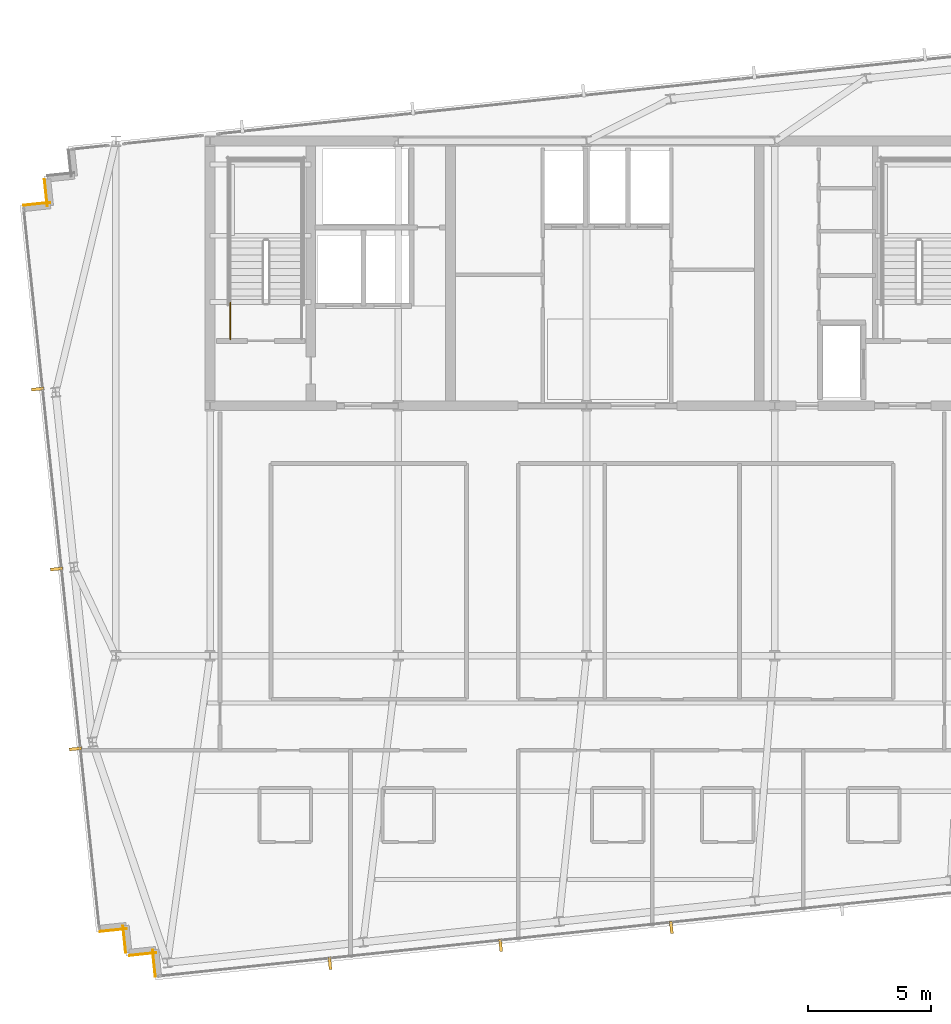
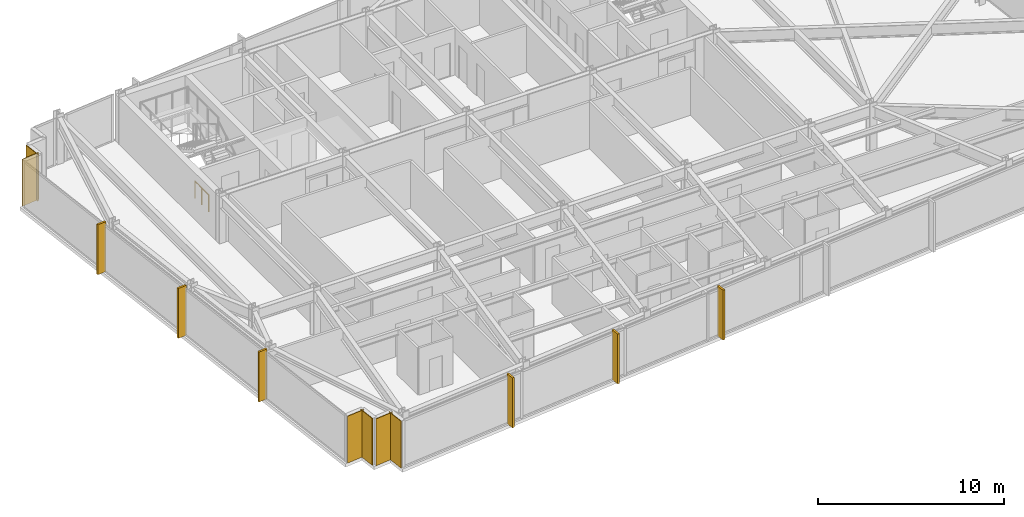
# One storey, part 30 of 33: 6 coverings, 6 shading devices, 1 railing.
"""IFC4 building model written with IfcOpenShell, lengths in metres."""

from ifc_helpers import new_model, si_unit, direction, frame, frame_2d, origin, origin_2d, place, context, subcontext, project, spatial, rectangle, circle, extrude, material, layer, layer_set, type_object, element, save


model = new_model("IFC4")

# Units and contexts
model_context = context("Model", 3, precision=1e-05, world=origin(), true_north=direction((0.0, 1.0)))
body_context = subcontext(model_context, "Body", "Model", "MODEL_VIEW")
ifc_project = project(units=[si_unit("LENGTHUNIT", "METRE"), si_unit("AREAUNIT", "SQUARE_METRE"), si_unit("VOLUMEUNIT", "CUBIC_METRE"), si_unit("PLANEANGLEUNIT", "RADIAN"), si_unit("MASSUNIT", "GRAM", prefix="KILO")], contexts=[model_context])

# Site, building, storey
site_placement = place(None, origin())
site = spatial("IfcSite", under=ifc_project, at=site_placement, CompositionType="ELEMENT")
building_placement = place(site_placement, origin())
building = spatial("IfcBuilding", under=site, at=building_placement, Name="Yelkora Congress Tower", CompositionType="ELEMENT")
storey_placement = place(building_placement, frame((0.0, 0.0, 227.60009765625)))
storey = spatial("IfcBuildingStorey", under=building, at=storey_placement, Name="L63", CompositionType="ELEMENT", Elevation=227.60009765625)

# Coverings
ifc_material_1 = material(Name="Anatolian bush-hammered limestone", Category="masonry")
ifc_layer_1 = layer(ifc_material_1, 0.0400390625)
ifc_layer_set_1 = layer_set([ifc_layer_1], Name="Anatolian bush-hammered limestone")
covering_type = type_object("IfcCoveringType", Name="COV-CLAD-SPANDREL-40", PredefinedType="CLADDING", material=ifc_layer_set_1)
covering_1_placement = place(storey_placement, frame((20.810302734375, 12.114501953125, 0.0), z_axis=(0.0, 0.0, 1.0), x_axis=(-0.104557671117, 0.994518825066, 0.0)))
element("IfcCovering", 1, at=covering_1_placement, inside=storey, type_object=covering_type, Name="L63 Anatolian Limestone Cladding EW-L63-SR01", PredefinedType="CLADDING", context=body_context, shape_type="SweptSolid", body=[
    extrude(rectangle(XDim=1.099853515625, YDim=0.0400390625, at=frame_2d((0.5498046875, 0.0))), origin(), (0.0, 0.0, 1.0), 3.079833984375),
])
for number, where, z_axis, x_axis, name in (
    (2, (20.84375, 13.088134765625, 0.0), (0.0, 0.0, 1.0), (-0.994521251134, -0.104534592565, 0.0), "L63 Anatolian Limestone Cladding EW-L63-SR02"),
    (3, (19.601318359375, 13.09326171875, 0.0), (0.0, 0.0, 1.0), (-0.104534592565, 0.994521251134, 0.0), "L63 Anatolian Limestone Cladding EW-L63-SR03"),
    (4, (19.634765625, 14.067138671875, 0.0), (0.0, 0.0, 1.0), (-0.994521251134, -0.104534592565, 0.0), "L63 Anatolian Limestone Cladding EW-L63-SR04"),
):
    element("IfcCovering", number, at=place(storey_placement, frame(where, z_axis=z_axis, x_axis=x_axis)), inside=storey, type_object=covering_type, Name=name, PredefinedType="CLADDING", context=body_context, shape_type="SweptSolid", body=[
        extrude(rectangle(XDim=1.10009765625, YDim=0.0400390625, at=frame_2d((0.550048828125, 0.0))), origin(), (0.0, 0.0, 1.0), 3.079833984375),
    ])
covering_2_placement = place(storey_placement, frame((15.427001953125, 43.5791015625, 0.0), z_axis=(0.0, 0.0, 1.0), x_axis=(0.994518825066, 0.104557671117, 0.0)))
element("IfcCovering", 5, at=covering_2_placement, inside=storey, type_object=covering_type, Name="L63 Anatolian Limestone Cladding EW-L63-SR06", PredefinedType="CLADDING", context=body_context, shape_type="SweptSolid", body=[
    extrude(rectangle(XDim=1.099853515625, YDim=0.0400390625, at=frame_2d((0.5498046875, 0.0))), origin(), (0.0, 0.0, 1.0), 3.079833984375),
])
covering_3_placement = place(storey_placement, frame((16.400634765625, 43.545654296875, 0.0), z_axis=(0.0, 0.0, 1.0), x_axis=(-0.104315068386, 0.994544300928, 0.0)))
element("IfcCovering", 6, at=covering_3_placement, inside=storey, type_object=covering_type, Name="L63 Anatolian Limestone Cladding EW-L63-SR07", PredefinedType="CLADDING", context=body_context, shape_type="SweptSolid", body=[
    extrude(rectangle(XDim=1.10009765625, YDim=0.0400390625, at=frame_2d((0.550048828125, 0.0))), origin(), (0.0, 0.0, 1.0), 3.079833984375),
])

# Railing
ifc_material_2 = material(Name="Painted galvanised steel stair well guard with vertical infill", Category="steel")
ifc_layer_2 = layer(ifc_material_2, 0.06005859375)
ifc_layer_set_2 = layer_set([ifc_layer_2], Name="Painted galvanised steel stair well guard with vertical infill")
railing_type = type_object("IfcRailingType", Name="RAIL-STAIR-GUARD-1120", PredefinedType="GUARDRAIL", material=ifc_layer_set_2)
railing_placement = place(storey_placement, frame((23.8701171875, 38.1201171875, 0.0)))
element("IfcRailing", 7, at=railing_placement, inside=storey, type_object=railing_type, Name="ST-01 L63 Stair Well Guardrail 9", PredefinedType="GUARDRAIL", context=body_context, shape_type="SweptSolid", body=[
    extrude(circle(Radius=0.02392578125, at=origin_2d()), frame((0.0, 0.0, 1.09619140625), z_axis=(0.0, 1.0, 0.0), x_axis=(-1.0, 0.0, 0.0)), (0.0, 0.0, 1.0), 1.47998046875),
    extrude(circle(Radius=0.02099609375, at=origin_2d()), origin(), (0.0, 0.0, 1.0), 1.072021484375),
    extrude(circle(Radius=0.02099609375, at=origin_2d()), frame((0.0, 0.739990234375, 0.0)), (0.0, 0.0, 1.0), 1.072021484375),
    extrude(circle(Radius=0.02099609375, at=origin_2d()), frame((0.0, 1.47998046875, 0.0)), (0.0, 0.0, 1.0), 1.072021484375),
])

# Shading devices
ifc_material_3 = material(Name="Champagne anodised aluminium", Category="aluminium")
ifc_layer_3 = layer(ifc_material_3, 3.300048828125)
ifc_layer_set_3 = layer_set([ifc_layer_3], Name="Champagne anodised aluminium")
shading_device_type = type_object("IfcShadingDeviceType", Name="SHD-FIN-ALU-520", PredefinedType="USERDEFINED", material=ifc_layer_set_3)
for number, where, z_axis, x_axis, name in (
    (8, (17.556396484375, 21.405029296875, -0.0302734375), (0.0, 0.0, 1.0), (-0.104528463268, 0.994521895368, 0.0), "L63 Vertical Anodised Solar Fin 5-1"),
    (9, (16.784912109375, 28.74462890625, -0.0302734375), (0.0, 0.0, 1.0), (-0.104528463268, 0.994521895368, 0.0), "L63 Vertical Anodised Solar Fin 5-2"),
    (10, (16.013671875, 36.084228515625, -0.0302734375), (0.0, 0.0, 1.0), (-0.104528463268, 0.994521895368, 0.0), "L63 Vertical Anodised Solar Fin 5-3"),
    (11, (41.85888671875, 14.12548828125, -0.0302734375), (0.0, 0.0, 1.0), (-0.994521895368, -0.104528463268, 0.0), "L63 Vertical Anodised Solar Fin 20-4"),
    (12, (34.89453125, 13.3935546875, -0.0302734375), (0.0, 0.0, 1.0), (-0.994521895368, -0.104528463268, 0.0), "L63 Vertical Anodised Solar Fin 20-5"),
    (13, (27.929931640625, 12.66162109375, -0.0302734375), (0.0, 0.0, 1.0), (-0.994521895368, -0.104528463268, 0.0), "L63 Vertical Anodised Solar Fin 20-6"),
):
    element("IfcShadingDevice", number, at=place(storey_placement, frame(where, z_axis=z_axis, x_axis=x_axis)), inside=storey, type_object=shading_device_type, Name=name, ObjectType="FIN", PredefinedType="USERDEFINED", context=body_context, shape_type="SweptSolid", body=[
        extrude(rectangle(XDim=0.1201171875, YDim=0.52001953125, at=origin_2d()), origin(), (0.0, 0.0, 1.0), 3.280029296875),
    ])

save(model, "model.ifc")
